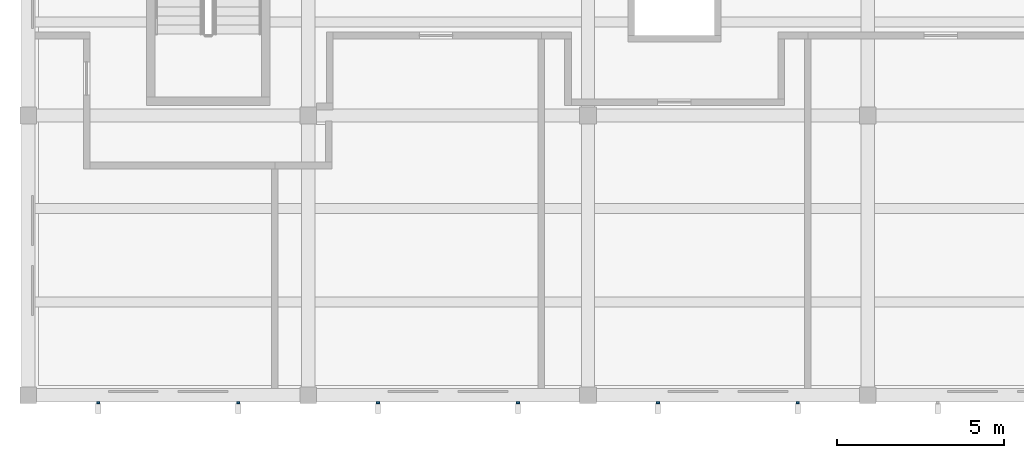
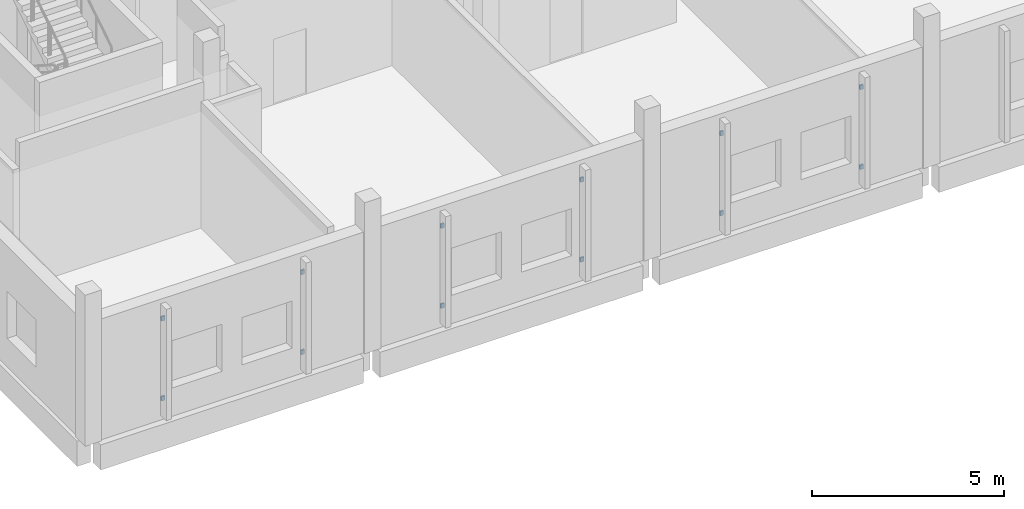
# One storey, part 75 of 119: 12 discrete accessories.
"""IFC4 building model written with IfcOpenShell, lengths in metres."""

import ifcopenshell
import ifcopenshell.guid

model = None  # the IFC model being written
_history = None  # IfcOwnerHistory: only IFC2X3 demands one
_inside = {}  # id of a spatial element -> (the spatial element, [elements in it])
_under = {}  # id of a project, library or spatial element -> (it, [spatial elements below it])
_declared = {}  # id of a project -> (the project, [libraries it declares])
_typed = {}  # id of a type object -> (the type object, [elements of that type])
_made_of = {}  # id of a material, layer set ... -> (it, [elements and type objects made of it])


def new_model(schema):
    """Start an empty IFC model of exactly this schema.

    Asked for "IFC4X3", IfcOpenShell would pick the latest addendum, in which some entities
    have other attributes; the version numbers below select the first issue.
    IFC2X3 requires an IfcOwnerHistory on every rooted entity: one is made here for all.
    """
    global model, _history
    if schema == "IFC4X3":
        model = ifcopenshell.file(schema_version=(4, 3, 0, 0))
    else:
        model = ifcopenshell.file(schema=schema)
    _inside.clear()
    _under.clear()
    _declared.clear()
    _typed.clear()
    _made_of.clear()
    _history = None
    if model.schema == "IFC2X3":
        org = make("IfcOrganization", Name="unknown")
        user = make(
            "IfcPersonAndOrganization",
            ThePerson=make("IfcPerson", FamilyName="unknown"),
            TheOrganization=org,
        )
        app = make(
            "IfcApplication",
            ApplicationDeveloper=org,
            Version="unknown",
            ApplicationFullName="unknown",
            ApplicationIdentifier="unknown",
        )
        _history = make(
            "IfcOwnerHistory",
            OwningUser=user,
            OwningApplication=app,
            ChangeAction="ADDED",
            CreationDate=0,
        )
    return model


def make(cls, **values):
    """One entity of the class cls with the attributes given. An attribute that is None is left unset."""
    return model.create_entity(
        cls, **{name: value for name, value in values.items() if value is not None}
    )


def rooted(cls, **values):
    """An entity with a GlobalId (a new one), such as an element, a storey or a relation."""
    return make(cls, GlobalId=ifcopenshell.guid.new(), OwnerHistory=_history, **values)


def si_unit(unit_type, name, prefix=None):
    """IfcSIUnit, for example si_unit("LENGTHUNIT", "METRE", prefix="MILLI")."""
    return make("IfcSIUnit", UnitType=unit_type, Prefix=prefix, Name=name)


def assignment(units):
    """IfcUnitAssignment: the units of a project."""
    return None if units is None else make("IfcUnitAssignment", Units=units)


def point(xyz):
    """IfcCartesianPoint."""
    return None if xyz is None else make("IfcCartesianPoint", Coordinates=xyz)


def direction(xyz):
    """IfcDirection."""
    return None if xyz is None else make("IfcDirection", DirectionRatios=xyz)


def frame(location, z_axis=None, x_axis=None):
    """IfcAxis2Placement3D, a coordinate frame: its origin and axes. An axis left out is left unset."""
    return make(
        "IfcAxis2Placement3D",
        Location=point(location),
        Axis=direction(z_axis),
        RefDirection=direction(x_axis),
    )


def frame_2d(location, x_axis=None):
    """IfcAxis2Placement2D, a coordinate frame in the plane: its origin and x axis."""
    return make(
        "IfcAxis2Placement2D", Location=point(location), RefDirection=direction(x_axis)
    )


def origin():
    """The frame at (0, 0, 0) with its axes left unset."""
    return frame((0.0, 0.0, 0.0))


def origin_2d():
    """The frame at (0, 0) in the plane with its x axis left unset."""
    return frame_2d((0.0, 0.0))


def place(relative_to, where):
    """IfcLocalPlacement: puts the frame where relative to a parent placement (None: the world)."""
    return make(
        "IfcLocalPlacement", PlacementRelTo=relative_to, RelativePlacement=where
    )


def context(
    kind, dimensions, precision=None, world=None, true_north=None, identifier=None
):
    """IfcGeometricRepresentationContext, for example the 3D "Model" context."""
    return make(
        "IfcGeometricRepresentationContext",
        ContextIdentifier=identifier,
        ContextType=kind,
        CoordinateSpaceDimension=dimensions,
        Precision=precision,
        WorldCoordinateSystem=world,
        TrueNorth=true_north,
    )


def subcontext(parent, identifier, kind, view, scale=None):
    """IfcGeometricRepresentationSubContext, for example "Body" below "Model"."""
    return make(
        "IfcGeometricRepresentationSubContext",
        ContextIdentifier=identifier,
        ContextType=kind,
        ParentContext=parent,
        TargetScale=scale,
        TargetView=view,
    )


def project(units=None, contexts=None):
    """IfcProject with its units and contexts."""
    return rooted(
        "IfcProject",
        Name="project",
        RepresentationContexts=contexts,
        UnitsInContext=assignment(units),
    )


def spatial(cls, under=None, at=None, **own):
    """A site, building, storey or space (cls), placed at a placement, below another one or the project."""
    s = rooted(cls, ObjectPlacement=at, **own)
    if under is not None:
        _under.setdefault(under.id(), (under, []))[1].append(s)
    return s


def profile(cls, at=None, kind="AREA", **sizes):
    """A parametric profile (cls). Its sizes go by their IFC names, for example OverallWidth=200.0."""
    return make(cls, ProfileType=kind, Position=at, **sizes)


def rectangle(**sizes):
    """IfcRectangleProfileDef."""
    return profile("IfcRectangleProfileDef", **sizes)


def extrude(swept, where, along, depth):
    """IfcExtrudedAreaSolid: the profile swept, set in the frame where, extruded along a direction by depth."""
    return make(
        "IfcExtrudedAreaSolid",
        SweptArea=swept,
        Position=where,
        ExtrudedDirection=direction(along),
        Depth=depth,
    )


def shape(context_of_items, identifier, shape_type, items):
    """IfcShapeRepresentation: the items that make up one representation, for example the "Body"."""
    return make(
        "IfcShapeRepresentation",
        ContextOfItems=context_of_items,
        RepresentationIdentifier=identifier,
        RepresentationType=shape_type,
        Items=items,
    )


def material(Name=None, Category=None):
    """IfcMaterial."""
    return make("IfcMaterial", Name=Name, Category=Category)


def layer(
    of_material, thickness, ventilated=None, Name=None, Category=None, Priority=None
):
    """IfcMaterialLayer: one layer of a wall or slab, of a material (None: an air gap)."""
    return make(
        "IfcMaterialLayer",
        Material=of_material,
        LayerThickness=thickness,
        IsVentilated=ventilated,
        Name=Name,
        Category=Category,
        Priority=Priority,
    )


def layer_set(layers, Name=None):
    """IfcMaterialLayerSet."""
    return make("IfcMaterialLayerSet", MaterialLayers=layers, LayerSetName=Name)


def made_of(thing, what):
    """Note that an element or type object is made of a material, layer set ...; save() writes the relation."""
    if what is not None:
        _made_of.setdefault(what.id(), (what, []))[1].append(thing)
    return thing


def type_object(cls, material=None, **own):
    """A type object (cls), such as IfcWallType, which elements share."""
    return made_of(rooted(cls, **own), material)


def element(
    cls,
    number,
    at=None,
    inside=None,
    cuts=None,
    type_object=None,
    material=None,
    context=None,
    identifier="Body",
    shape_type=None,
    held_by="IfcProductDefinitionShape",
    body=None,
    shapes=None,
    **own,
):
    """One element of the class cls, such as IfcWall. Its Tag is "e" and its number.

    at: its placement. inside: the storey or other place that contains it. cuts: it is an
    opening in that element (IfcRelVoidsElement). A single representation is given by context,
    identifier, shape_type and body (its items); several are given by shapes. held_by: the class
    of the entity that holds the representations. save() writes the other relations.
    """
    e = rooted(cls, Tag="e%d" % number, ObjectPlacement=at, **own)
    if body is not None:
        shapes = [shape(context, identifier, shape_type, body)]
    if shapes is not None:
        e.Representation = make(held_by, Representations=shapes)
    if inside is not None:
        _inside.setdefault(inside.id(), (inside, []))[1].append(e)
    if cuts is not None:
        rooted(
            "IfcRelVoidsElement", RelatingBuildingElement=cuts, RelatedOpeningElement=e
        )
    if type_object is not None:
        _typed.setdefault(type_object.id(), (type_object, []))[1].append(e)
    return made_of(e, material)


def aggregate(whole, parts):
    """IfcRelAggregates: a whole, such as a stair, and the parts it consists of."""
    return rooted("IfcRelAggregates", RelatingObject=whole, RelatedObjects=parts)


def save(model, path):
    """Write the relations noted so far, then the file.

    IfcRelAggregates (storeys below a building ...), IfcRelContainedInSpatialStructure (elements
    in a storey), IfcRelDefinesByType, IfcRelAssociatesMaterial and IfcRelDeclares: one each for
    every whole, place, type object, material and project.
    """
    for whole, parts in _under.values():
        aggregate(whole, parts)
    for where, things in _inside.values():
        rooted(
            "IfcRelContainedInSpatialStructure",
            RelatedElements=things,
            RelatingStructure=where,
        )
    for kind, things in _typed.values():
        rooted("IfcRelDefinesByType", RelatedObjects=things, RelatingType=kind)
    for what, things in _made_of.values():
        rooted("IfcRelAssociatesMaterial", RelatedObjects=things, RelatingMaterial=what)
    for by, libraries in _declared.values():
        rooted("IfcRelDeclares", RelatingContext=by, RelatedDefinitions=libraries)
    model.write(path)


model = new_model("IFC4")

# Units and contexts
model_context = context("Model", 3, precision=1e-05, world=origin(), true_north=direction((0.0, 1.0)))
body_context = subcontext(model_context, "Body", "Model", "MODEL_VIEW")
ifc_project = project(units=[si_unit("LENGTHUNIT", "METRE"), si_unit("AREAUNIT", "SQUARE_METRE"), si_unit("VOLUMEUNIT", "CUBIC_METRE"), si_unit("PLANEANGLEUNIT", "RADIAN"), si_unit("MASSUNIT", "GRAM", prefix="KILO")], contexts=[model_context])

# Site, building, storey
site_placement = place(None, origin())
site = spatial("IfcSite", under=ifc_project, at=site_placement, CompositionType="ELEMENT")
building_placement = place(site_placement, origin())
building = spatial("IfcBuilding", under=site, at=building_placement, Name="Larchfold Concert Hall", CompositionType="ELEMENT")
storey_placement = place(building_placement, frame((0.0, 0.0, 4.800048828125)))
storey = spatial("IfcBuildingStorey", under=building, at=storey_placement, Name="L01", CompositionType="ELEMENT", Elevation=4.800048828125)

# Discrete accessories
ifc_material = material(Name="Steel S355 galvanised bracket", Category="steel")
ifc_layer = layer(ifc_material, 0.10009765625)
ifc_layer_set = layer_set([ifc_layer], Name="Steel S355 galvanised bracket")
discrete_accessory_type = type_object("IfcDiscreteAccessoryType", Name="Fin support bracket short", PredefinedType="BRACKET", material=ifc_layer_set)
for number, where, z_axis, x_axis, name in (
    (1, (2.699951171875, 0.375, 0.6298828125), (0.0, 0.0, 1.0), (0.0, -1.0, 0.0), "Fin bracket FN-L01-022-1"),
    (2, (2.699951171875, 0.375, 3.169921875), (0.0, 0.0, 1.0), (0.0, -1.0, 0.0), "Fin bracket FN-L01-022-2"),
    (3, (6.89990234375, 0.375, 0.6298828125), (0.0, 0.0, 1.0), (0.0, -1.0, 0.0), "Fin bracket FN-L01-023-1"),
    (4, (6.89990234375, 0.375, 3.169921875), (0.0, 0.0, 1.0), (0.0, -1.0, 0.0), "Fin bracket FN-L01-023-2"),
    (5, (11.10009765625, 0.375, 0.6298828125), (0.0, 0.0, 1.0), (0.0, -1.0, 0.0), "Fin bracket FN-L01-024-1"),
    (6, (11.10009765625, 0.375, 3.169921875), (0.0, 0.0, 1.0), (0.0, -1.0, 0.0), "Fin bracket FN-L01-024-2"),
    (7, (15.300048828125, 0.375, 0.6298828125), (0.0, 0.0, 1.0), (0.0, -1.0, 0.0), "Fin bracket FN-L01-025-1"),
    (8, (15.300048828125, 0.375, 3.169921875), (0.0, 0.0, 1.0), (0.0, -1.0, 0.0), "Fin bracket FN-L01-025-2"),
    (9, (19.5, 0.375, 0.6298828125), (0.0, 0.0, 1.0), (0.0, -1.0, 0.0), "Fin bracket FN-L01-026-1"),
    (10, (19.5, 0.375, 3.169921875), (0.0, 0.0, 1.0), (0.0, -1.0, 0.0), "Fin bracket FN-L01-026-2"),
    (11, (23.699951171875, 0.375, 0.6298828125), (0.0, 0.0, 1.0), (0.0, -1.0, 0.0), "Fin bracket FN-L01-027-1"),
    (12, (23.699951171875, 0.375, 3.169921875), (0.0, 0.0, 1.0), (0.0, -1.0, 0.0), "Fin bracket FN-L01-027-2"),
):
    element("IfcDiscreteAccessory", number, at=place(storey_placement, frame(where, z_axis=z_axis, x_axis=x_axis)), inside=storey, type_object=discrete_accessory_type, Name=name, PredefinedType="BRACKET", context=body_context, shape_type="SweptSolid", body=[
        extrude(rectangle(XDim=0.050048828125, YDim=0.10009765625, at=origin_2d()), origin(), (0.0, 0.0, 1.0), 0.139892578125),
    ])

save(model, "model.ifc")
